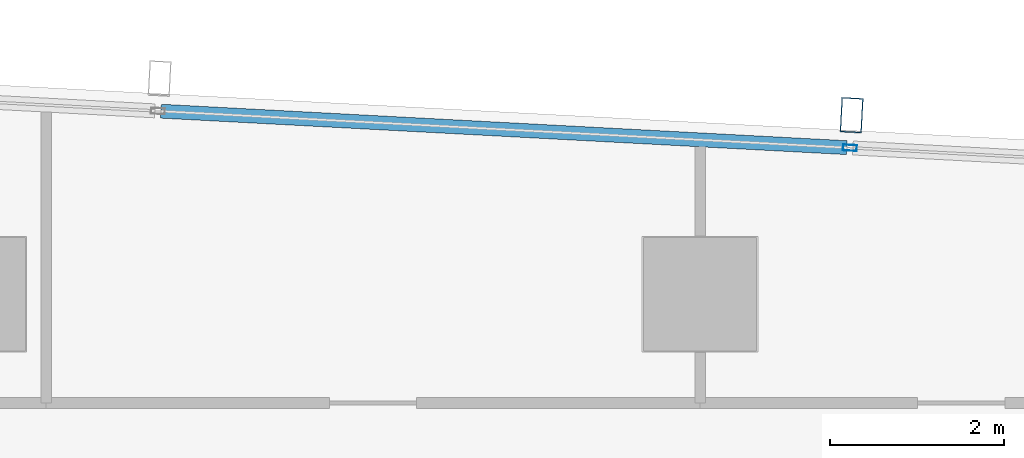
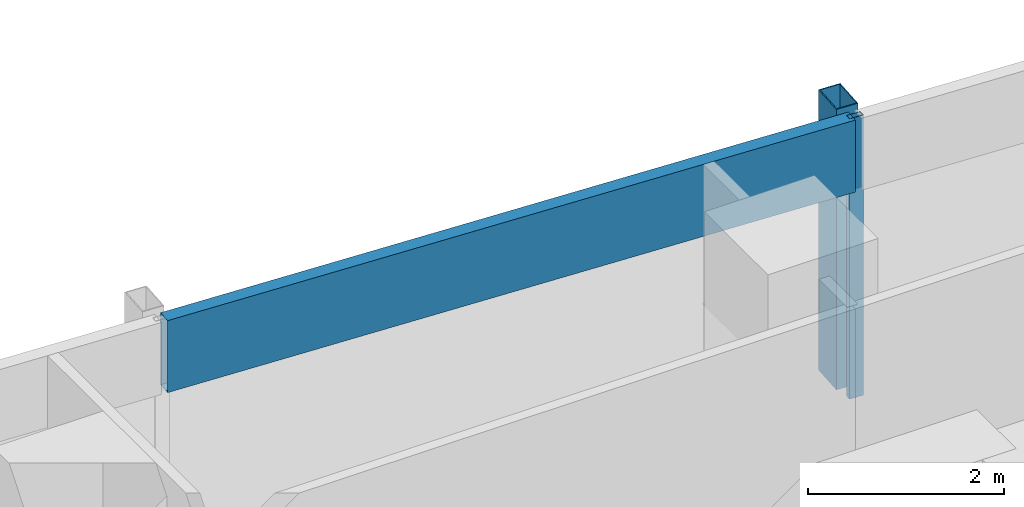
# One storey, part 17 of 28: 3 members, 1 element without a shape of its own.
"""IFC4 building model written with IfcOpenShell, lengths in metres."""

from ifc_helpers import new_model, si_unit, direction, frame, origin, origin_2d, place, context, subcontext, project, spatial, hollow_rectangle, extrude, material, material_profile, profile_set, type_object, element, aggregate, save


model = new_model("IFC4")

# Units and contexts
model_context = context("Model", 3, precision=1e-05, world=origin(), true_north=direction((0.0, 1.0)))
body_context = subcontext(model_context, "Body", "Model", "MODEL_VIEW")
ifc_project = project(units=[si_unit("LENGTHUNIT", "METRE"), si_unit("AREAUNIT", "SQUARE_METRE"), si_unit("VOLUMEUNIT", "CUBIC_METRE"), si_unit("PLANEANGLEUNIT", "RADIAN"), si_unit("MASSUNIT", "GRAM", prefix="KILO")], contexts=[model_context])

# Site, building, storey
site_placement = place(None, origin())
site = spatial("IfcSite", under=ifc_project, at=site_placement, CompositionType="ELEMENT")
building_placement = place(site_placement, origin())
building = spatial("IfcBuilding", under=site, at=building_placement, Name="Rekha Terrace Tower", CompositionType="ELEMENT")
storey_placement = place(building_placement, frame((0.0, 0.0, 253.85009765625)))
storey = spatial("IfcBuildingStorey", under=building, at=storey_placement, Name="L64", CompositionType="ELEMENT", Elevation=253.85009765625)

# Curtain wall, members
ifc_material_1 = material(Name="Aluminium framing", Category="aluminium")
curtain_wall_type = type_object("IfcCurtainWallType", Name="CW3 north unitised glazing", PredefinedType="USERDEFINED", material=ifc_material_1)
curtain_wall_placement = place(storey_placement, origin())
curtain_wall = element("IfcCurtainWall", 1, at=curtain_wall_placement, inside=storey, type_object=curtain_wall_type, Name="CW3 unitised curtain wall", ObjectType="UNITISED CURTAIN WALL", PredefinedType="USERDEFINED")
ifc_material_2 = material(Name="Steel S355 with fluorocarbon finish", Category="steel")
ifc_material_profile_1 = material_profile(ifc_material_2, hollow_rectangle(XDim=0.25, YDim=0.39990234375, WallThickness=0.012451171875, at=origin_2d()), Name="RHS400x250x12.5")
ifc_profile_set_1 = profile_set([ifc_material_profile_1], Name="Steel S355 with fluorocarbon finish")
member_type_1 = type_object("IfcMemberType", Name="BL1 facade blade RHS 400 x 250", PredefinedType="USERDEFINED", material=ifc_profile_set_1)
member_1_placement = place(storey_placement, frame((52.142822265625, 52.456298828125, 0.0), z_axis=(0.0, 0.0, 1.0), x_axis=(-0.998590068481, 0.053083661621, 0.0)))
member_1 = element("IfcMember", 2, at=member_1_placement, type_object=member_type_1, Name="Facade blade", ObjectType="FACADE BLADE", PredefinedType="USERDEFINED", context=body_context, shape_type="SweptSolid", body=[
    extrude(hollow_rectangle(XDim=0.25, YDim=0.39990234375, WallThickness=0.012451171875, at=origin_2d()), origin(), (0.0, 0.0, 1.0), 3.5),
])
ifc_material_3 = material(Name="Aluminium mullion section", Category="aluminium")
ifc_material_profile_2 = material_profile(ifc_material_3, hollow_rectangle(XDim=0.070068359375, YDim=0.159912109375, WallThickness=0.00390625, at=origin_2d()), Name="AL RHS 70x160")
ifc_profile_set_2 = profile_set([ifc_material_profile_2], Name="Aluminium mullion section")
member_type_2 = type_object("IfcMemberType", Name="CW3 mullion RHS 70 x 160", PredefinedType="MULLION", material=ifc_profile_set_2)
member_2_placement = place(storey_placement, frame((52.122802734375, 52.081787109375, 0.0), z_axis=(0.0, 0.0, 1.0), x_axis=(-0.053083275524, -0.998590089005, 0.0)))
member_2 = element("IfcMember", 3, at=member_2_placement, type_object=member_type_2, Name="CW3 mullion 2", PredefinedType="MULLION", context=body_context, shape_type="SweptSolid", body=[
    extrude(hollow_rectangle(XDim=0.070068359375, YDim=0.159912109375, WallThickness=0.00390625, at=origin_2d()), origin(), (0.0, 0.0, 1.0), 3.5),
])
ifc_material_4 = material(Name="Insulated aluminium spandrel box", Category="aluminium")
ifc_material_profile_3 = material_profile(ifc_material_4, hollow_rectangle(XDim=0.159912109375, YDim=0.89990234375, WallThickness=0.0029296875, at=origin_2d()), Name="AL SPANDREL BOX 160x900")
ifc_profile_set_3 = profile_set([ifc_material_profile_3], Name="Insulated aluminium spandrel box")
member_type_3 = type_object("IfcMemberType", Name="CW3 spandrel transom 160 x 900", PredefinedType="USERDEFINED", material=ifc_profile_set_3)
member_3_placement = place(storey_placement, frame((52.087890625, 52.08349609375, 3.0498046875), z_axis=(-0.998589741295, 0.053089816156, 0.0), x_axis=(-0.053089816156, -0.998589741295, 0.0)))
member_3 = element("IfcMember", 4, at=member_3_placement, type_object=member_type_3, Name="CW3 spandrel transom 2", ObjectType="TRANSOM", PredefinedType="USERDEFINED", context=body_context, shape_type="SweptSolid", body=[
    extrude(hollow_rectangle(XDim=0.159912109375, YDim=0.89990234375, WallThickness=0.0029296875, at=origin_2d()), origin(), (0.0, 0.0, 1.0), 7.891357421875),
])
aggregate(curtain_wall, [member_2, member_3, member_1])

save(model, "model.ifc")
